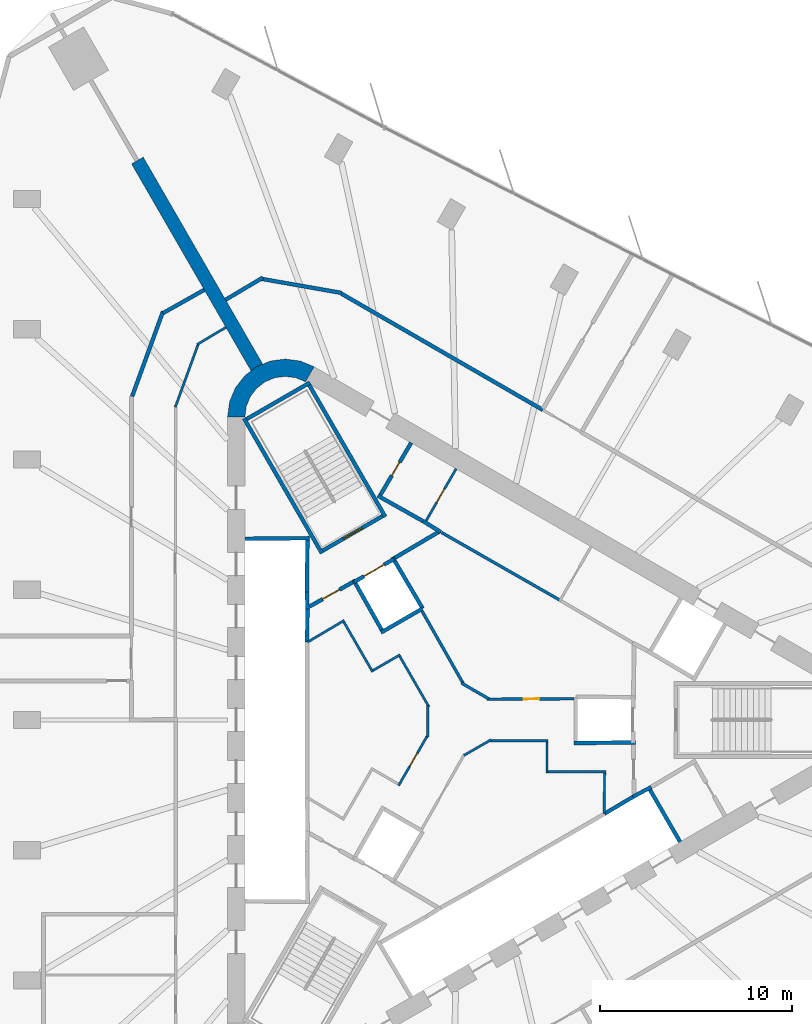
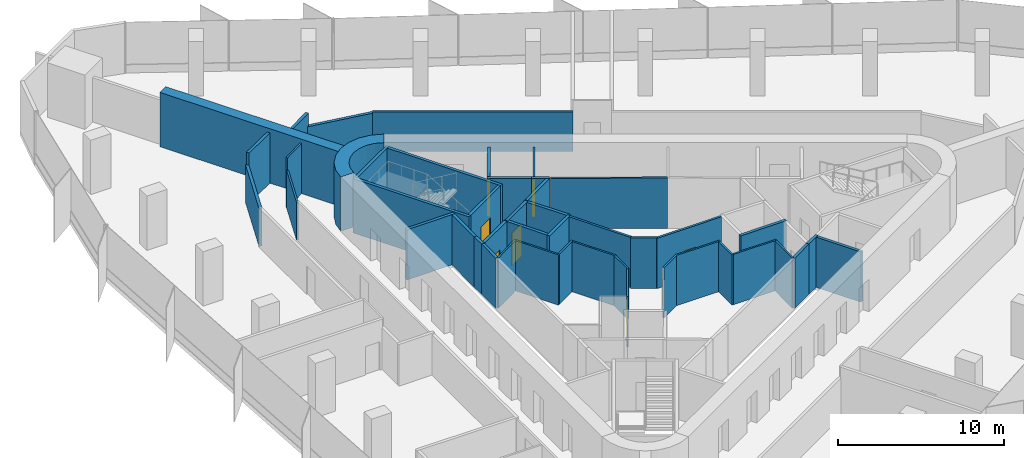
# One storey, part 10 of 13: 46 walls, 7 doors, 7 openings.
"""IFC4 building model written with IfcOpenShell, lengths in metres."""

from ifc_helpers import new_model, si_unit, direction, frame, frame_2d, origin, place, context, subcontext, project, spatial, polyline, rectangle, outline, extrude, material, layer, layer_set, type_object, element, fill, save


model = new_model("IFC4")

# Units and contexts
model_context = context("Model", 3, precision=1e-05, world=origin(), true_north=direction((0.0, 1.0)))
body_context = subcontext(model_context, "Body", "Model", "MODEL_VIEW")
ifc_project = project(units=[si_unit("LENGTHUNIT", "METRE"), si_unit("AREAUNIT", "SQUARE_METRE"), si_unit("VOLUMEUNIT", "CUBIC_METRE"), si_unit("PLANEANGLEUNIT", "RADIAN"), si_unit("MASSUNIT", "GRAM", prefix="KILO")], contexts=[model_context])

# Site, building, storey
site_placement = place(None, origin())
site = spatial("IfcSite", under=ifc_project, at=site_placement, CompositionType="ELEMENT")
building_placement = place(site_placement, origin())
building = spatial("IfcBuilding", under=site, at=building_placement, Name="Tanit Gate Tower", CompositionType="ELEMENT")
storey_placement = place(building_placement, frame((0.0, 0.0, 173.199951171875)))
storey = spatial("IfcBuildingStorey", under=building, at=storey_placement, Name="L37", CompositionType="ELEMENT", Elevation=173.199951171875)

# Walls
ifc_material_1 = material(Name="Concrete C50/60", Category="concrete")
ifc_layer_1 = layer(ifc_material_1, 0.699951171875)
ifc_layer_set_1 = layer_set([ifc_layer_1], Name="BUTTRESS FIN 700 C50/60")
wall_type_1 = type_object("IfcWallType", Name="BUTTRESS FIN 700 C50/60", PredefinedType="SHEAR", material=ifc_layer_set_1)
wall_1_placement = place(storey_placement, frame((-10.574951171875, 18.31640625, 0.0), z_axis=(0.0, 0.0, 1.0), x_axis=(-0.499995558535, 0.86602796805, 0.0)))
element("IfcWall", 1, at=wall_1_placement, inside=storey, type_object=wall_type_1, Name="BUTTRESS FIN", PredefinedType="SHEAR", context=body_context, shape_type="SweptSolid", body=[
    extrude(rectangle(XDim=12.4326171875, YDim=0.699951171875, at=frame_2d((6.21630859375, 0.0))), origin(), (0.0, 0.0, 1.0), 4.0),
])
ifc_material_2 = material(Name="Concrete C50/60", Category="concrete")
ifc_layer_2 = layer(ifc_material_2, 0.89990234375)
ifc_layer_set_2 = layer_set([ifc_layer_2], Name="CORE WALL 900 C50/60")
wall_type_2 = type_object("IfcWallType", Name="CORE WALL 900 C50/60", PredefinedType="SHEAR", material=ifc_layer_set_2)
wall_2_placement = place(storey_placement, origin())
element("IfcWall", 2, at=wall_2_placement, inside=storey, type_object=wall_type_2, Name="CORE WALL CORNER", PredefinedType="SHEAR", context=body_context, shape_type="SweptSolid", body=[
    extrude(outline(polyline([(-7.60009765625, 18.359619140625), (-8.323486328125, 18.659423828125), (-9.10009765625, 18.76171875), (-9.87646484375, 18.659423828125), (-10.60009765625, 18.359619140625), (-11.22119140625, 17.883056640625), (-11.697998046875, 17.26171875), (-11.997802734375, 16.5380859375), (-12.10009765625, 15.76171875), (-11.199951171875, 15.76171875), (-11.12841796875, 16.30517578125), (-10.918701171875, 16.811767578125), (-10.5849609375, 17.24658203125), (-10.14990234375, 17.580322265625), (-9.6435546875, 17.7900390625), (-9.10009765625, 17.86181640625), (-8.556396484375, 17.7900390625), (-8.050048828125, 17.580322265625), (-7.60009765625, 18.359619140625)])), origin(), (0.0, 0.0, 1.0), 4.0),
])
ifc_material_3 = material(Name="Fire-rated gypsum board partition")
ifc_layer_3 = layer(ifc_material_3, 0.199951171875)
ifc_layer_set_3 = layer_set([ifc_layer_3], Name="INT-WALL-COMPARTMENT")
wall_type_3 = type_object("IfcWallType", Name="INT-WALL-COMPARTMENT", PredefinedType="PARTITIONING", material=ifc_layer_set_3)
wall_3_placement = place(storey_placement, frame((-1.940673828125, 10.338623046875, 0.0), z_axis=(0.0, 0.0, 1.0), x_axis=(0.850216889117, -0.526432561171, 0.0)))
element("IfcWall", 3, at=wall_3_placement, inside=storey, type_object=wall_type_3, Name="Wall Compartment W053", PredefinedType="PARTITIONING", context=body_context, shape_type="SweptSolid", body=[
    extrude(rectangle(XDim=1.078369140625, YDim=0.199951171875, at=frame_2d((0.5390625, 0.0))), origin(), (0.0, 0.0, 1.0), 3.699951171875),
])
wall_4_placement = place(storey_placement, frame((-4.296142578125, 11.658935546875, 0.0), z_axis=(0.0, 0.0, 1.0), x_axis=(0.871534483978, -0.490334215854, 0.0)))
element("IfcWall", 4, at=wall_4_placement, inside=storey, type_object=wall_type_3, Name="Wall Compartment W055", PredefinedType="PARTITIONING", context=body_context, shape_type="SweptSolid", body=[
    extrude(rectangle(XDim=2.7001953125, YDim=0.199951171875, at=frame_2d((1.35009765625, 0.0))), origin(), (0.0, 0.0, 1.0), 3.699951171875),
])

# Wall, opening, door
wall_5_placement = place(storey_placement, frame((-2.557861328125, 14.409423828125, 0.0), z_axis=(0.0, 0.0, 1.0), x_axis=(-0.508018930956, -0.861345903683, 0.0)))
wall_5 = element("IfcWall", 5, at=wall_5_placement, inside=storey, type_object=wall_type_3, Name="Wall Compartment W056", PredefinedType="PARTITIONING", context=body_context, shape_type="SweptSolid", body=[
    extrude(rectangle(XDim=3.150146484375, YDim=0.199951171875, at=frame_2d((1.5751953125, 0.0))), origin(), (0.0, 0.0, 1.0), 3.699951171875),
])
opening_1_placement = place(wall_5_placement, frame((1.175048828125, 0.0, 0.0)))
opening_1 = element("IfcOpeningElement", 6, at=opening_1_placement, cuts=wall_5, Name="Opening R08-S09-14", PredefinedType="OPENING", context=body_context, shape_type="SweptSolid", body=[
    extrude(rectangle(XDim=0.800048828125, YDim=2.10009765625, at=frame_2d((0.39990234375, 1.050048828125))), frame((0.0, 0.10986328125, 0.0), z_axis=(0.0, -1.0, 0.0), x_axis=(1.0, 0.0, 0.0)), (0.0, 0.0, 1.0), 0.219970703125),
])
ifc_material_4 = material(Name="Timber door leaf", Category="wood")
door_type_1 = type_object("IfcDoorType", Name="INT-DOOR-RISER-800", OperationType="NOTDEFINED", PredefinedType="USERDEFINED", material=ifc_material_4)
door_1_placement = place(opening_1_placement, origin())
door_1 = element("IfcDoor", 7, at=door_1_placement, inside=storey, type_object=door_type_1, Name="Door R08-S09-14", ObjectType="FIRE DOOR", OperationType="SINGLE_SWING_RIGHT", OverallHeight=2.10009765625, OverallWidth=0.800048828125, PredefinedType="USERDEFINED", context=body_context, shape_type="SweptSolid", body=[
    extrude(rectangle(XDim=0.800048828125, YDim=2.10009765625, at=frame_2d((0.39990234375, 1.050048828125))), frame((0.0, 0.02490234375, 0.0), z_axis=(0.0, -1.0, 0.0), x_axis=(1.0, 0.0, 0.0)), (0.0, 0.0, 1.0), 0.050048828125),
])
fill(opening_1, door_1)

# Wall
wall_6_placement = place(storey_placement, frame((-1.0546875, 9.818359375, 0.0), z_axis=(0.0, 0.0, 1.0), x_axis=(-0.860614334655, -0.50925726994, 0.0)))
element("IfcWall", 8, at=wall_6_placement, inside=storey, type_object=wall_type_3, Name="Wall Compartment W061", PredefinedType="PARTITIONING", context=body_context, shape_type="SweptSolid", body=[
    extrude(rectangle(XDim=2.725830078125, YDim=0.199951171875, at=frame_2d((1.36279296875, 0.0))), origin(), (0.0, 0.0, 1.0), 3.699951171875),
])

# Wall, opening, door
wall_7_placement = place(storey_placement, frame((-5.600341796875, 7.16015625, 0.0), z_axis=(0.0, 0.0, 1.0), x_axis=(-0.871363259478, -0.490638431059, 0.0)))
wall_7 = element("IfcWall", 9, at=wall_7_placement, inside=storey, type_object=wall_type_3, Name="Wall Compartment W062", PredefinedType="PARTITIONING", context=body_context, shape_type="SweptSolid", body=[
    extrude(rectangle(XDim=2.5810546875, YDim=0.199951171875, at=frame_2d((1.29052734375, 0.0))), origin(), (0.0, 0.0, 1.0), 3.699951171875),
])
opening_2_placement = place(wall_7_placement, frame((0.79052734375, 0.0, 0.0)))
opening_2 = element("IfcOpeningElement", 10, at=opening_2_placement, cuts=wall_7, Name="Opening F10-S09-05", PredefinedType="OPENING", context=body_context, shape_type="SweptSolid", body=[
    extrude(rectangle(XDim=1.0, YDim=2.10009765625, at=frame_2d((0.5, 1.050048828125))), frame((0.0, 0.10986328125, 0.0), z_axis=(0.0, -1.0, 0.0), x_axis=(1.0, 0.0, 0.0)), (0.0, 0.0, 1.0), 0.219970703125),
])
ifc_material_5 = material(Name="Fire-rated steel door leaf", Category="steel")
door_type_2 = type_object("IfcDoorType", Name="INT-DOOR-FIRE-1000", OperationType="NOTDEFINED", PredefinedType="USERDEFINED", material=ifc_material_5)
door_2_placement = place(opening_2_placement, origin())
door_2 = element("IfcDoor", 11, at=door_2_placement, inside=storey, type_object=door_type_2, Name="Door F10-S09-05", ObjectType="FIRE DOOR", OperationType="SINGLE_SWING_LEFT", OverallHeight=2.10009765625, OverallWidth=1.0, PredefinedType="USERDEFINED", context=body_context, shape_type="SweptSolid", body=[
    extrude(rectangle(XDim=1.0, YDim=2.10009765625, at=frame_2d((0.5, 1.050048828125))), frame((0.0, 0.02490234375, 0.0), z_axis=(0.0, -1.0, 0.0), x_axis=(1.0, 0.0, 0.0)), (0.0, 0.0, 1.0), 0.050048828125),
])
fill(opening_2, door_2)

# Walls
wall_8_placement = place(storey_placement, frame((-15.456298828125, 21.238525390625, 0.0), z_axis=(0.0, 0.0, 1.0), x_axis=(-0.34205546997, -0.939679762187, 0.0)))
element("IfcWall", 12, at=wall_8_placement, inside=storey, type_object=wall_type_3, Name="Wall Compartment W090", PredefinedType="PARTITIONING", context=body_context, shape_type="SweptSolid", body=[
    extrude(rectangle(XDim=4.705810546875, YDim=0.199951171875, at=frame_2d((2.35302734375, 0.0))), origin(), (0.0, 0.0, 1.0), 2.780029296875),
])
wall_9_placement = place(storey_placement, frame((-13.31298828125, 22.35888671875, 0.0), z_axis=(0.0, 0.0, 1.0), x_axis=(-0.87121710687, -0.490897904555, 0.0)))
element("IfcWall", 13, at=wall_9_placement, inside=storey, type_object=wall_type_3, Name="Wall Compartment W091", PredefinedType="PARTITIONING", context=body_context, shape_type="SweptSolid", body=[
    extrude(rectangle(XDim=2.457275390625, YDim=0.199951171875, at=frame_2d((1.228515625, 0.0))), origin(), (0.0, 0.0, 1.0), 3.699951171875),
])
wall_10_placement = place(storey_placement, frame((-10.26513671875, 22.995849609375, 0.0), z_axis=(0.0, 0.0, 1.0), x_axis=(-0.859934823121, -0.510403859687, 0.0)))
element("IfcWall", 14, at=wall_10_placement, inside=storey, type_object=wall_type_3, Name="Wall Compartment W098", PredefinedType="PARTITIONING", context=body_context, shape_type="SweptSolid", body=[
    extrude(rectangle(XDim=2.25830078125, YDim=0.199951171875, at=frame_2d((1.129150390625, 0.0))), origin(), (0.0, 0.0, 1.0), 3.699951171875),
])
wall_11_placement = place(storey_placement, frame((-6.18115234375, 22.19873046875, 0.0), z_axis=(0.0, 0.0, 1.0), x_axis=(-0.984807544765, 0.17364935869, 0.0)))
element("IfcWall", 15, at=wall_11_placement, inside=storey, type_object=wall_type_3, Name="Wall Compartment W099", PredefinedType="PARTITIONING", context=body_context, shape_type="SweptSolid", body=[
    extrude(rectangle(XDim=4.199462890625, YDim=0.199951171875, at=frame_2d((2.099609375, 0.0))), origin(), (0.0, 0.0, 1.0), 2.780029296875),
])
wall_12_placement = place(storey_placement, frame((4.28271484375, 16.117919921875, 0.0), z_axis=(0.0, 0.0, 1.0), x_axis=(-0.866016186489, 0.500015964484, 0.0)))
element("IfcWall", 16, at=wall_12_placement, inside=storey, type_object=wall_type_3, Name="Wall Compartment W100", PredefinedType="PARTITIONING", context=body_context, shape_type="SweptSolid", body=[
    extrude(rectangle(XDim=12.09619140625, YDim=0.199951171875, at=frame_2d((6.048095703125, 0.0))), origin(), (0.0, 0.0, 1.0), 2.880126953125),
])

# Wall, opening, door
ifc_material_6 = material(Name="Gypsum board partition")
ifc_layer_4 = layer(ifc_material_6, 0.1201171875)
ifc_layer_set_4 = layer_set([ifc_layer_4], Name="INT-WALL-PARTITION")
wall_type_4 = type_object("IfcWallType", Name="INT-WALL-PARTITION", PredefinedType="PARTITIONING", material=ifc_layer_set_4)
wall_13_placement = place(storey_placement, frame((-0.2197265625, 13.0595703125, 0.0), z_axis=(0.0, 0.0, 1.0), x_axis=(-0.499984717929, -0.866034226713, 0.0)))
wall_13 = element("IfcWall", 17, at=wall_13_placement, inside=storey, type_object=wall_type_4, Name="Wall Partition W052", PredefinedType="PARTITIONING", context=body_context, shape_type="SweptSolid", body=[
    extrude(rectangle(XDim=3.25, YDim=0.1201171875, at=frame_2d((1.625, 0.0))), origin(), (0.0, 0.0, 1.0), 3.699951171875),
])
opening_3_placement = place(wall_13_placement, frame((1.22509765625, 0.0, 0.0)))
opening_3 = element("IfcOpeningElement", 18, at=opening_3_placement, cuts=wall_13, Name="Opening R08-S09-30", PredefinedType="OPENING", context=body_context, shape_type="SweptSolid", body=[
    extrude(rectangle(XDim=0.800048828125, YDim=2.10009765625, at=frame_2d((0.39990234375, 1.050048828125))), frame((0.0, 0.070068359375, 0.0), z_axis=(0.0, -1.0, 0.0), x_axis=(1.0, 0.0, 0.0)), (0.0, 0.0, 1.0), 0.14013671875),
])
door_3_placement = place(opening_3_placement, origin())
door_3 = element("IfcDoor", 19, at=door_3_placement, inside=storey, type_object=door_type_1, Name="Door R08-S09-30", ObjectType="FIRE DOOR", OperationType="SINGLE_SWING_RIGHT", OverallHeight=2.10009765625, OverallWidth=0.800048828125, PredefinedType="USERDEFINED", context=body_context, shape_type="SweptSolid", body=[
    extrude(rectangle(XDim=0.800048828125, YDim=2.10009765625, at=frame_2d((0.39990234375, 1.050048828125))), frame((0.0, 0.02490234375, 0.0), z_axis=(0.0, -1.0, 0.0), x_axis=(1.0, 0.0, 0.0)), (0.0, 0.0, 1.0), 0.050048828125),
])
fill(opening_3, door_3)

# Walls
wall_14_placement = place(storey_placement, frame((1.60546875, -1.02294921875, 0.0), z_axis=(0.0, 0.0, 1.0), x_axis=(-0.866001581989, -0.50004125829, 0.0)))
element("IfcWall", 20, at=wall_14_placement, inside=storey, type_object=wall_type_4, Name="Wall Partition W069", PredefinedType="PARTITIONING", context=body_context, shape_type="SweptSolid", body=[
    extrude(rectangle(XDim=1.635009765625, YDim=0.1201171875, at=frame_2d((0.8173828125, 0.0))), origin(), (0.0, 0.0, 1.0), 3.699951171875),
])
wall_15_placement = place(storey_placement, frame((4.56005859375, -1.074951171875, 0.0), z_axis=(0.0, 0.0, 1.0), x_axis=(-1.0, 0.0, 0.0)))
element("IfcWall", 21, at=wall_15_placement, inside=storey, type_object=wall_type_4, Name="Wall Partition W070", PredefinedType="PARTITIONING", context=body_context, shape_type="SweptSolid", body=[
    extrude(rectangle(XDim=3.02587890625, YDim=0.1201171875, at=frame_2d((1.512939453125, 0.0))), origin(), (0.0, 0.0, 1.0), 3.699951171875),
])
wall_16_placement = place(storey_placement, frame((4.5, -2.760009765625, 0.0), z_axis=(0.0, 0.0, 1.0), x_axis=(0.0, 1.0, 0.0)))
element("IfcWall", 22, at=wall_16_placement, inside=storey, type_object=wall_type_4, Name="Wall Partition W071", PredefinedType="PARTITIONING", context=body_context, shape_type="SweptSolid", body=[
    extrude(rectangle(XDim=1.625, YDim=0.1201171875, at=frame_2d((0.8125, 0.0))), origin(), (0.0, 0.0, 1.0), 3.699951171875),
])
wall_17_placement = place(storey_placement, frame((7.56005859375, -2.699951171875, 0.0), z_axis=(0.0, 0.0, 1.0), x_axis=(-1.0, 0.0, 0.0)))
element("IfcWall", 23, at=wall_17_placement, inside=storey, type_object=wall_type_4, Name="Wall Partition W072", PredefinedType="PARTITIONING", context=body_context, shape_type="SweptSolid", body=[
    extrude(rectangle(XDim=3.0, YDim=0.1201171875, at=frame_2d((1.5, 0.0))), origin(), (0.0, 0.0, 1.0), 3.699951171875),
])
wall_18_placement = place(storey_placement, frame((7.474609375, -4.864501953125, 0.0), z_axis=(0.0, 0.0, 1.0), x_axis=(0.011716133148, 0.999931363757, 0.0)))
element("IfcWall", 24, at=wall_18_placement, inside=storey, type_object=wall_type_4, Name="Wall Partition W073", PredefinedType="PARTITIONING", context=body_context, shape_type="SweptSolid", body=[
    extrude(rectangle(XDim=2.104736328125, YDim=0.1201171875, at=frame_2d((1.05224609375, 0.0))), origin(), (0.0, 0.0, 1.0), 3.699951171875),
])
wall_19_placement = place(storey_placement, frame((-6.03662109375, 5.17578125, 0.0), z_axis=(0.0, 0.0, 1.0), x_axis=(-0.860106072674, -0.510115225953, 0.0)))
element("IfcWall", 25, at=wall_19_placement, inside=storey, type_object=wall_type_4, Name="Wall Partition W074", PredefinedType="PARTITIONING", context=body_context, shape_type="SweptSolid", body=[
    extrude(rectangle(XDim=2.224609375, YDim=0.1201171875, at=frame_2d((1.1123046875, 0.0))), origin(), (0.0, 0.0, 1.0), 3.699951171875),
])
wall_20_placement = place(storey_placement, frame((-4.558349609375, 2.4951171875, 0.0), z_axis=(0.0, 0.0, 1.0), x_axis=(-0.499990139034, 0.866031096941, 0.0)))
element("IfcWall", 26, at=wall_20_placement, inside=storey, type_object=wall_type_4, Name="Wall Partition W075", PredefinedType="PARTITIONING", context=body_context, shape_type="SweptSolid", body=[
    extrude(rectangle(XDim=3.0, YDim=0.1201171875, at=frame_2d((1.5, 0.0))), origin(), (0.0, 0.0, 1.0), 3.699951171875),
])
wall_21_placement = place(storey_placement, frame((-3.12890625, 3.3896484375, 0.0), z_axis=(0.0, 0.0, 1.0), x_axis=(-0.866053003207, -0.499952193351, 0.0)))
element("IfcWall", 27, at=wall_21_placement, inside=storey, type_object=wall_type_4, Name="Wall Partition W076", PredefinedType="PARTITIONING", context=body_context, shape_type="SweptSolid", body=[
    extrude(rectangle(XDim=1.625244140625, YDim=0.1201171875, at=frame_2d((0.8125, 0.0))), origin(), (0.0, 0.0, 1.0), 3.699951171875),
])
wall_22_placement = place(storey_placement, frame((-1.63671875, 0.68505859375, 0.0), z_axis=(0.0, 0.0, 1.0), x_axis=(-0.500006252586, 0.866021793822, 0.0)))
element("IfcWall", 28, at=wall_22_placement, inside=storey, type_object=wall_type_4, Name="Wall Partition W077", PredefinedType="PARTITIONING", context=body_context, shape_type="SweptSolid", body=[
    extrude(rectangle(XDim=3.0283203125, YDim=0.1201171875, at=frame_2d((1.51416015625, 0.0))), origin(), (0.0, 0.0, 1.0), 3.699951171875),
])
wall_23_placement = place(storey_placement, frame((-1.688720703125, -0.87890625, 0.0), z_axis=(0.0, 0.0, 1.0), x_axis=(0.0, 1.0, 0.0)))
element("IfcWall", 29, at=wall_23_placement, inside=storey, type_object=wall_type_4, Name="Wall Partition W078", PredefinedType="PARTITIONING", context=body_context, shape_type="SweptSolid", body=[
    extrude(rectangle(XDim=1.63525390625, YDim=0.1201171875, at=frame_2d((0.817626953125, 0.0))), origin(), (0.0, 0.0, 1.0), 3.699951171875),
])

# Wall, opening, door
wall_24_placement = place(storey_placement, frame((-3.2109375, -3.41162109375, 0.0), z_axis=(0.0, 0.0, 1.0), x_axis=(0.499983190554, 0.866035108505, 0.0)))
wall_24 = element("IfcWall", 30, at=wall_24_placement, inside=storey, type_object=wall_type_4, Name="Wall Partition W079", PredefinedType="PARTITIONING", context=body_context, shape_type="SweptSolid", body=[
    extrude(rectangle(XDim=3.02587890625, YDim=0.1201171875, at=frame_2d((1.512939453125, 0.0))), origin(), (0.0, 0.0, 1.0), 3.699951171875),
])
opening_4_placement = place(wall_24_placement, frame((1.142822265625, 0.0, 0.0)))
opening_4 = element("IfcOpeningElement", 31, at=opening_4_placement, cuts=wall_24, Name="Opening R08-S09-12", PredefinedType="OPENING", context=body_context, shape_type="SweptSolid", body=[
    extrude(rectangle(XDim=0.800048828125, YDim=2.10009765625, at=frame_2d((0.39990234375, 1.050048828125))), frame((0.0, 0.070068359375, 0.0), z_axis=(0.0, -1.0, 0.0), x_axis=(1.0, 0.0, 0.0)), (0.0, 0.0, 1.0), 0.14013671875),
])
door_4_placement = place(opening_4_placement, origin())
door_4 = element("IfcDoor", 32, at=door_4_placement, inside=storey, type_object=door_type_1, Name="Door R08-S09-12", ObjectType="FIRE DOOR", OperationType="SINGLE_SWING_RIGHT", OverallHeight=2.10009765625, OverallWidth=0.800048828125, PredefinedType="USERDEFINED", context=body_context, shape_type="SweptSolid", body=[
    extrude(rectangle(XDim=0.800048828125, YDim=2.10009765625, at=frame_2d((0.39990234375, 1.050048828125))), frame((0.0, 0.02490234375, 0.0), z_axis=(0.0, -1.0, 0.0), x_axis=(1.0, 0.0, 0.0)), (0.0, 0.0, 1.0), 0.050048828125),
])
fill(opening_4, door_4)

# Walls
wall_25_placement = place(storey_placement, frame((-12.188720703125, 20.411376953125, 0.0), z_axis=(0.0, 0.0, 1.0), x_axis=(-0.858492721014, -0.51282574815, 0.0)))
element("IfcWall", 33, at=wall_25_placement, inside=storey, type_object=wall_type_4, Name="Wall Partition W083", PredefinedType="PARTITIONING", context=body_context, shape_type="SweptSolid", body=[
    extrude(rectangle(XDim=1.742431640625, YDim=0.1201171875, at=frame_2d((0.87109375, 0.0))), origin(), (0.0, 0.0, 1.0), 3.699951171875),
])
wall_26_placement = place(storey_placement, frame((-13.630615234375, 19.529541015625, 0.0), z_axis=(0.0, 0.0, 1.0), x_axis=(-0.342069878069, -0.939674517329, 0.0)))
element("IfcWall", 34, at=wall_26_placement, inside=storey, type_object=wall_type_4, Name="Wall Partition W084", PredefinedType="PARTITIONING", context=body_context, shape_type="SweptSolid", body=[
    extrude(rectangle(XDim=3.478759765625, YDim=0.1201171875, at=frame_2d((1.7392578125, 0.0))), origin(), (0.0, 0.0, 1.0), 2.780029296875),
])
ifc_material_7 = material(Name="Fire-rated gypsum board partition")
ifc_layer_5 = layer(ifc_material_7, 0.14990234375)
ifc_layer_set_5 = layer_set([ifc_layer_5], Name="INT-WALL-RISER")
wall_type_5 = type_object("IfcWallType", Name="INT-WALL-RISER", PredefinedType="PLUMBINGWALL", material=ifc_layer_set_5)
wall_27_placement = place(storey_placement, frame((5.1591796875, 6.23583984375, 0.0), z_axis=(0.0, 0.0, 1.0), x_axis=(-0.868105023632, 0.496380567654, 0.0)))
element("IfcWall", 35, at=wall_27_placement, inside=storey, type_object=wall_type_5, Name="Wall Riser W054", PredefinedType="PLUMBINGWALL", context=body_context, shape_type="SweptSolid", body=[
    extrude(rectangle(XDim=7.072265625, YDim=0.14990234375, at=frame_2d((3.5361328125, 0.0))), origin(), (0.0, 0.0, 1.0), 3.699951171875),
])

# Wall, opening, door
wall_28_placement = place(storey_placement, frame((1.3876953125, 1.07421875, 0.0), z_axis=(0.0, 0.0, 1.0), x_axis=(0.99997856967, 0.006546770205, 0.0)))
wall_28 = element("IfcWall", 36, at=wall_28_placement, inside=storey, type_object=wall_type_5, Name="Wall Riser W065", PredefinedType="PLUMBINGWALL", context=body_context, shape_type="SweptSolid", body=[
    extrude(rectangle(XDim=4.51220703125, YDim=0.14990234375, at=frame_2d((2.256103515625, 0.0))), origin(), (0.0, 0.0, 1.0), 3.699951171875),
])
opening_5_placement = place(wall_28_placement, frame((1.920166015625, 0.0, 0.0)))
opening_5 = element("IfcOpeningElement", 37, at=opening_5_placement, cuts=wall_28, Name="Opening R08-S09-10", PredefinedType="OPENING", context=body_context, shape_type="SweptSolid", body=[
    extrude(rectangle(XDim=0.800048828125, YDim=2.10009765625, at=frame_2d((0.39990234375, 1.050048828125))), frame((0.0, 0.0849609375, 0.0), z_axis=(0.0, -1.0, 0.0), x_axis=(1.0, 0.0, 0.0)), (0.0, 0.0, 1.0), 0.169921875),
])
door_5_placement = place(opening_5_placement, origin())
door_5 = element("IfcDoor", 38, at=door_5_placement, inside=storey, type_object=door_type_1, Name="Door R08-S09-10", ObjectType="FIRE DOOR", OperationType="SINGLE_SWING_LEFT", OverallHeight=2.10009765625, OverallWidth=0.800048828125, PredefinedType="USERDEFINED", context=body_context, shape_type="SweptSolid", body=[
    extrude(rectangle(XDim=0.800048828125, YDim=2.10009765625, at=frame_2d((0.39990234375, 1.050048828125))), frame((0.0, 0.02490234375, 0.0), z_axis=(0.0, -1.0, 0.0), x_axis=(1.0, 0.0, 0.0)), (0.0, 0.0, 1.0), 0.050048828125),
])
fill(opening_5, door_5)

# Walls
wall_29_placement = place(storey_placement, frame((0.0625, 1.9140625, 0.0), z_axis=(0.0, 0.0, 1.0), x_axis=(0.866018462269, -0.500012022864, 0.0)))
element("IfcWall", 39, at=wall_29_placement, inside=storey, type_object=wall_type_5, Name="Wall Riser W066", PredefinedType="PLUMBINGWALL", context=body_context, shape_type="SweptSolid", body=[
    extrude(rectangle(XDim=1.654296875, YDim=0.14990234375, at=frame_2d((0.8271484375, 0.0))), origin(), (0.0, 0.0, 1.0), 3.699951171875),
])
wall_30_placement = place(storey_placement, frame((-1.994140625, 5.661376953125, 0.0), z_axis=(0.0, 0.0, 1.0), x_axis=(0.494341211302, -0.869267948798, 0.0)))
element("IfcWall", 40, at=wall_30_placement, inside=storey, type_object=wall_type_5, Name="Wall Riser W067", PredefinedType="PLUMBINGWALL", context=body_context, shape_type="SweptSolid", body=[
    extrude(rectangle(XDim=4.36083984375, YDim=0.14990234375, at=frame_2d((2.180419921875, 0.0))), origin(), (0.0, 0.0, 1.0), 3.699951171875),
])
ifc_material_8 = material(Name="Gypsum shaft wall system")
ifc_layer_6 = layer(ifc_material_8, 0.199951171875)
ifc_layer_set_6 = layer_set([ifc_layer_6], Name="INT-WALL-SHAFT")
wall_type_6 = type_object("IfcWallType", Name="INT-WALL-SHAFT", PredefinedType="PLUMBINGWALL", material=ifc_layer_set_6)
wall_31_placement = place(storey_placement, frame((-11.199951171875, 9.419921875, 0.0), z_axis=(0.0, 0.0, 1.0), x_axis=(0.999957167047, 0.009255488683, 0.0)))
element("IfcWall", 41, at=wall_31_placement, inside=storey, type_object=wall_type_6, Name="Wall Shaft W001", PredefinedType="PLUMBINGWALL", context=body_context, shape_type="SweptSolid", body=[
    extrude(rectangle(XDim=3.35009765625, YDim=0.199951171875, at=frame_2d((1.675048828125, 0.0))), origin(), (0.0, 0.0, 1.0), 3.699951171875),
])
wall_32_placement = place(storey_placement, frame((-7.951171875, 9.35009765625, 0.0), z_axis=(0.0, 0.0, 1.0), x_axis=(-0.011120469654, -0.999938165666, 0.0)))
element("IfcWall", 42, at=wall_32_placement, inside=storey, type_object=wall_type_6, Name="Wall Shaft W002", PredefinedType="PLUMBINGWALL", context=body_context, shape_type="SweptSolid", body=[
    extrude(rectangle(XDim=2.700439453125, YDim=0.199951171875, at=frame_2d((1.35009765625, 0.0))), origin(), (0.0, 0.0, 1.0), 3.699951171875),
])
wall_33_placement = place(storey_placement, frame((-7.97705078125, 6.650146484375, 0.0), z_axis=(0.0, 0.0, 1.0), x_axis=(0.030861509705, -0.999523670164, 0.0)))
element("IfcWall", 43, at=wall_33_placement, inside=storey, type_object=wall_type_6, Name="Wall Shaft W003", PredefinedType="PLUMBINGWALL", context=body_context, shape_type="SweptSolid", body=[
    extrude(rectangle(XDim=0.878173828125, YDim=0.199951171875, at=frame_2d((0.43896484375, 0.0))), origin(), (0.0, 0.0, 1.0), 3.699951171875),
])
wall_34_placement = place(storey_placement, frame((-7.94921875, 5.894775390625, 0.0), z_axis=(0.0, 0.0, 1.0), x_axis=(-0.012042535896, -0.999927486035, 0.0)))
element("IfcWall", 44, at=wall_34_placement, inside=storey, type_object=wall_type_6, Name="Wall Shaft W004", PredefinedType="PLUMBINGWALL", context=body_context, shape_type="SweptSolid", body=[
    extrude(rectangle(XDim=1.844970703125, YDim=0.199951171875, at=frame_2d((0.92236328125, 0.0))), origin(), (0.0, 0.0, 1.0), 3.699951171875),
])
wall_35_placement = place(storey_placement, frame((9.794677734375, -3.52490234375, 0.0), z_axis=(0.0, 0.0, 1.0), x_axis=(0.499984717929, -0.866034226713, 0.0)))
element("IfcWall", 45, at=wall_35_placement, inside=storey, type_object=wall_type_6, Name="Wall Shaft W016", PredefinedType="PLUMBINGWALL", context=body_context, shape_type="SweptSolid", body=[
    extrude(rectangle(XDim=3.25, YDim=0.199951171875, at=frame_2d((1.625, 0.0))), origin(), (0.0, 0.0, 1.0), 3.699951171875),
])
wall_36_placement = place(storey_placement, frame((8.97412109375, -3.998779296875, 0.0), z_axis=(0.0, 0.0, 1.0), x_axis=(0.880907015104, 0.473289373154, 0.0)))
element("IfcWall", 46, at=wall_36_placement, inside=storey, type_object=wall_type_6, Name="Wall Shaft W017", PredefinedType="PLUMBINGWALL", context=body_context, shape_type="SweptSolid", body=[
    extrude(rectangle(XDim=1.078125, YDim=0.199951171875, at=frame_2d((0.5390625, 0.0))), origin(), (0.0, 0.0, 1.0), 3.699951171875),
])
wall_37_placement = place(storey_placement, frame((7.4931640625, -4.87841796875, 0.0), z_axis=(0.0, 0.0, 1.0), x_axis=(0.859981807212, 0.510324691999, 0.0)))
element("IfcWall", 47, at=wall_37_placement, inside=storey, type_object=wall_type_6, Name="Wall Shaft W018", PredefinedType="PLUMBINGWALL", context=body_context, shape_type="SweptSolid", body=[
    extrude(rectangle(XDim=1.8447265625, YDim=0.199951171875, at=frame_2d((0.92236328125, 0.0))), origin(), (0.0, 0.0, 1.0), 3.699951171875),
])
wall_38_placement = place(storey_placement, frame((5.89990234375, -1.200927734375, 0.0), z_axis=(0.0, 0.0, 1.0), x_axis=(0.999950064753, 0.009993397809, 0.0)))
element("IfcWall", 48, at=wall_38_placement, inside=storey, type_object=wall_type_6, Name="Wall Shaft W031", PredefinedType="PLUMBINGWALL", context=body_context, shape_type="SweptSolid", body=[
    extrude(rectangle(XDim=3.200439453125, YDim=0.199951171875, at=frame_2d((1.60009765625, 0.0))), origin(), (0.0, 0.0, 1.0), 3.699951171875),
])

# Wall, opening, door
wall_39_placement = place(storey_placement, frame((-5.524169921875, 7.168212890625, 0.0), z_axis=(0.0, 0.0, 1.0), x_axis=(0.866024647952, 0.500001309137, 0.0)))
wall_39 = element("IfcWall", 49, at=wall_39_placement, inside=storey, type_object=wall_type_6, Name="Wall Shaft W037", PredefinedType="PLUMBINGWALL", context=body_context, shape_type="SweptSolid", body=[
    extrude(rectangle(XDim=2.39990234375, YDim=0.199951171875, at=frame_2d((1.199951171875, 0.0))), origin(), (0.0, 0.0, 1.0), 3.699951171875),
])
opening_6_placement = place(wall_39_placement, frame((0.60009765625, 0.0, 0.0)))
opening_6 = element("IfcOpeningElement", 50, at=opening_6_placement, cuts=wall_39, Name="Opening LDFL2-L37", PredefinedType="OPENING", context=body_context, shape_type="SweptSolid", body=[
    extrude(rectangle(XDim=1.199951171875, YDim=2.39990234375, at=frame_2d((0.60009765625, 1.199951171875))), frame((0.0, 0.10986328125, 0.0), z_axis=(0.0, -1.0, 0.0), x_axis=(1.0, 0.0, 0.0)), (0.0, 0.0, 1.0), 0.219970703125),
])
ifc_material_9 = material(Name="Stainless steel sliding door leaf", Category="steel")
door_type_3 = type_object("IfcDoorType", Name="INT-DOOR-LANDING-1200", OperationType="NOTDEFINED", PredefinedType="USERDEFINED", material=ifc_material_9)
door_6_placement = place(opening_6_placement, origin())
door_6 = element("IfcDoor", 51, at=door_6_placement, inside=storey, type_object=door_type_3, Name="Door LDFL2-L37", ObjectType="LANDING DOOR", OperationType="SLIDING_TO_LEFT", OverallHeight=2.39990234375, OverallWidth=1.199951171875, PredefinedType="USERDEFINED", context=body_context, shape_type="SweptSolid", body=[
    extrude(rectangle(XDim=1.199951171875, YDim=2.39990234375, at=frame_2d((0.60009765625, 1.199951171875))), frame((0.0, 0.02490234375, 0.0), z_axis=(0.0, -1.0, 0.0), x_axis=(1.0, 0.0, 0.0)), (0.0, 0.0, 1.0), 0.050048828125),
])
fill(opening_6, door_6)

# Walls
wall_40_placement = place(storey_placement, frame((-3.53759765625, 8.46533203125, 0.0), z_axis=(0.0, 0.0, 1.0), x_axis=(0.508647062354, -0.860975125052, 0.0)))
element("IfcWall", 52, at=wall_40_placement, inside=storey, type_object=wall_type_6, Name="Wall Shaft W038", PredefinedType="PLUMBINGWALL", context=body_context, shape_type="SweptSolid", body=[
    extrude(rectangle(XDim=3.10009765625, YDim=0.199951171875, at=frame_2d((1.550048828125, 0.0))), origin(), (0.0, 0.0, 1.0), 3.699951171875),
])
wall_41_placement = place(storey_placement, frame((-1.978515625, 5.785888671875, 0.0), z_axis=(0.0, 0.0, 1.0), x_axis=(-0.866016689309, -0.500015093611, 0.0)))
element("IfcWall", 53, at=wall_41_placement, inside=storey, type_object=wall_type_6, Name="Wall Shaft W039", PredefinedType="PLUMBINGWALL", context=body_context, shape_type="SweptSolid", body=[
    extrude(rectangle(XDim=2.4794921875, YDim=0.199951171875, at=frame_2d((1.23974609375, 0.0))), origin(), (0.0, 0.0, 1.0), 3.699951171875),
])
wall_42_placement = place(storey_placement, frame((-5.5625, 7.29638671875, 0.0), z_axis=(0.0, 0.0, 1.0), x_axis=(0.49134651263, -0.870964180966, 0.0)))
element("IfcWall", 54, at=wall_42_placement, inside=storey, type_object=wall_type_6, Name="Wall Shaft W040", PredefinedType="PLUMBINGWALL", context=body_context, shape_type="SweptSolid", body=[
    extrude(rectangle(XDim=3.000244140625, YDim=0.199951171875, at=frame_2d((1.5, 0.0))), origin(), (0.0, 0.0, 1.0), 3.699951171875),
])
ifc_material_10 = material(Name="Concrete C40/50", Category="concrete")
ifc_layer_7 = layer(ifc_material_10, 0.199951171875)
ifc_layer_set_7 = layer_set([ifc_layer_7], Name="INT-WALL-STAIR")
wall_type_7 = type_object("IfcWallType", Name="INT-WALL-STAIR", PredefinedType="SHEAR", material=ifc_layer_set_7)
wall_43_placement = place(storey_placement, frame((-11.245361328125, 15.677734375, -0.300048828125), z_axis=(0.0, 0.0, 1.0), x_axis=(0.499977274689, -0.866038523851, 0.0)))
element("IfcWall", 55, at=wall_43_placement, inside=storey, type_object=wall_type_7, Name="Wall Stair W033", PredefinedType="SHEAR", context=body_context, shape_type="SweptSolid", body=[
    extrude(rectangle(XDim=8.10009765625, YDim=0.199951171875, at=frame_2d((4.050048828125, 0.0))), origin(), (0.0, 0.0, 1.0), 4.0),
])
wall_44_placement = place(storey_placement, frame((-7.81787109375, 17.541015625, -0.300048828125), z_axis=(0.0, 0.0, 1.0), x_axis=(-0.866044365799, -0.499967155389, 0.0)))
element("IfcWall", 56, at=wall_44_placement, inside=storey, type_object=wall_type_7, Name="Wall Stair W034", PredefinedType="SHEAR", context=body_context, shape_type="SweptSolid", body=[
    extrude(rectangle(XDim=3.800048828125, YDim=0.199951171875, at=frame_2d((1.89990234375, 0.0))), origin(), (0.0, 0.0, 1.0), 4.0),
])
wall_45_placement = place(storey_placement, frame((-7.8544921875, 17.404541015625, -0.300048828125), z_axis=(0.0, 0.0, 1.0), x_axis=(0.499997992926, -0.866026562566, 0.0)))
element("IfcWall", 57, at=wall_45_placement, inside=storey, type_object=wall_type_7, Name="Wall Stair W035", PredefinedType="SHEAR", context=body_context, shape_type="SweptSolid", body=[
    extrude(rectangle(XDim=7.89990234375, YDim=0.199951171875, at=frame_2d((3.949951171875, 0.0))), origin(), (0.0, 0.0, 1.0), 4.0),
])

# Wall, opening, door
wall_46_placement = place(storey_placement, frame((-7.158935546875, 8.799560546875, -0.300048828125), z_axis=(0.0, 0.0, 1.0), x_axis=(0.866047807691, 0.499961193289, 0.0)))
wall_46 = element("IfcWall", 58, at=wall_46_placement, inside=storey, type_object=wall_type_7, Name="Wall Stair W036", PredefinedType="SHEAR", context=body_context, shape_type="SweptSolid", body=[
    extrude(rectangle(XDim=3.599853515625, YDim=0.199951171875, at=frame_2d((1.7998046875, 0.0))), origin(), (0.0, 0.0, 1.0), 4.0),
])
opening_7_placement = place(wall_46_placement, frame((1.25, 0.0, 0.300048828125)))
opening_7 = element("IfcOpeningElement", 59, at=opening_7_placement, cuts=wall_46, Name="Opening S11-S09-04", PredefinedType="OPENING", context=body_context, shape_type="SweptSolid", body=[
    extrude(rectangle(XDim=1.10009765625, YDim=2.10009765625, at=frame_2d((0.550048828125, 1.050048828125))), frame((0.0, 0.10986328125, 0.0), z_axis=(0.0, -1.0, 0.0), x_axis=(1.0, 0.0, 0.0)), (0.0, 0.0, 1.0), 0.219970703125),
])
ifc_material_11 = material(Name="Timber door leaf", Category="wood")
door_type_4 = type_object("IfcDoorType", Name="INT-DOOR-STAIR-1100", OperationType="NOTDEFINED", PredefinedType="USERDEFINED", material=ifc_material_11)
door_7_placement = place(opening_7_placement, origin())
door_7 = element("IfcDoor", 60, at=door_7_placement, inside=storey, type_object=door_type_4, Name="Door S11-S09-04", ObjectType="FIRE DOOR", OperationType="SINGLE_SWING_RIGHT", OverallHeight=2.10009765625, OverallWidth=1.10009765625, PredefinedType="USERDEFINED", context=body_context, shape_type="SweptSolid", body=[
    extrude(rectangle(XDim=1.10009765625, YDim=2.10009765625, at=frame_2d((0.550048828125, 1.050048828125))), frame((0.0, 0.02490234375, 0.0), z_axis=(0.0, -1.0, 0.0), x_axis=(1.0, 0.0, 0.0)), (0.0, 0.0, 1.0), 0.050048828125),
])
fill(opening_7, door_7)

save(model, "model.ifc")
